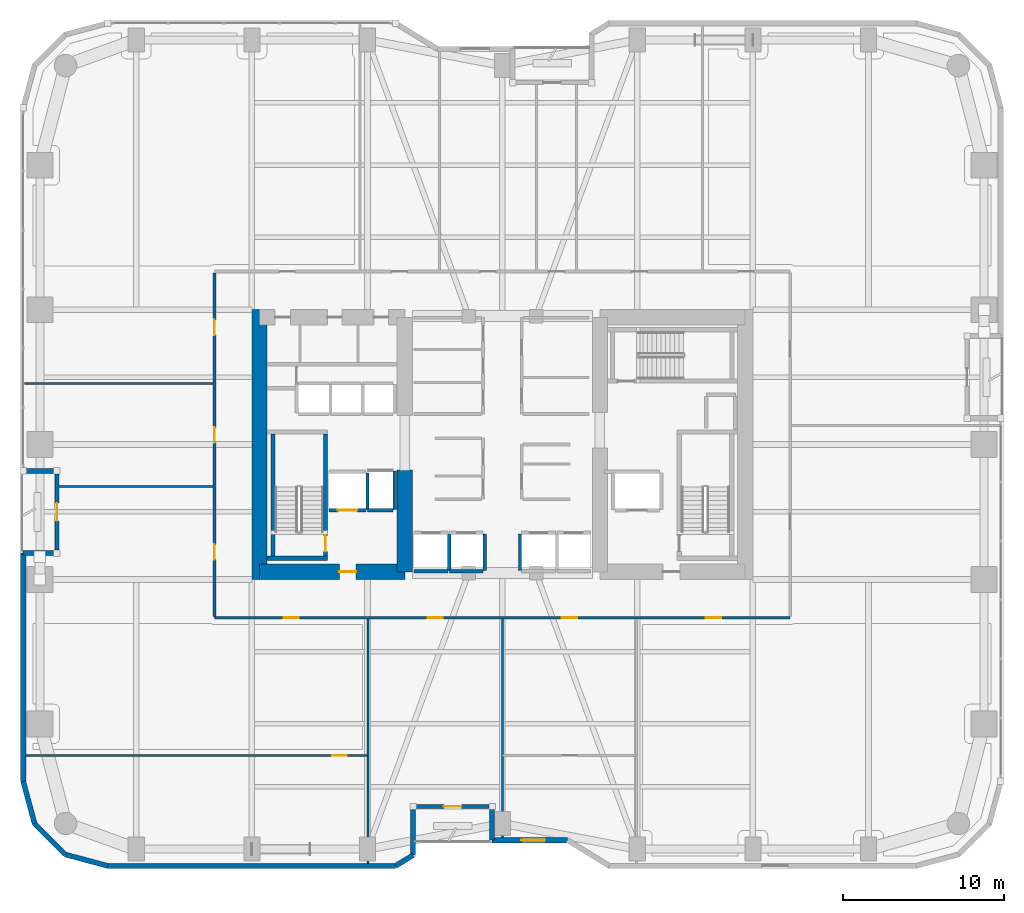
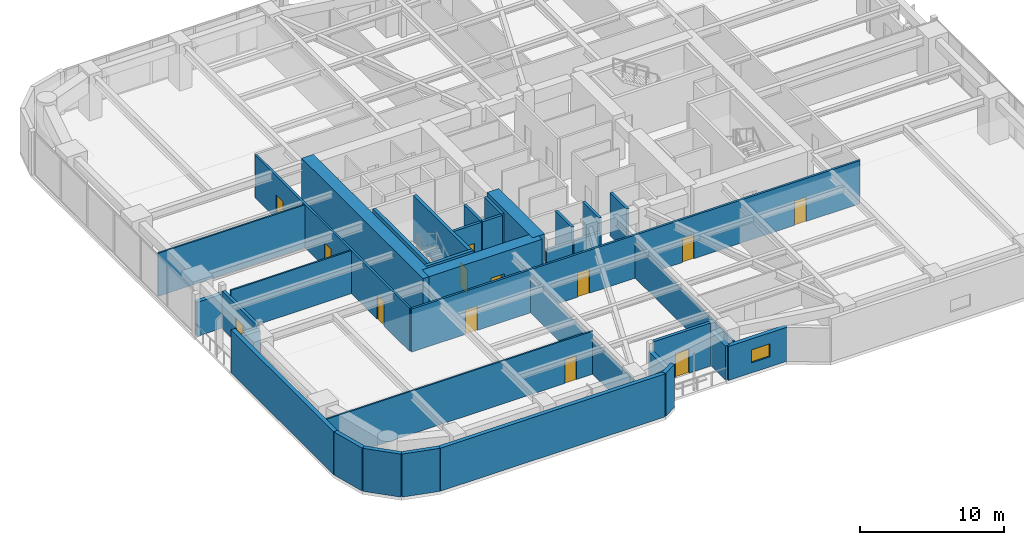
# One storey, part 22 of 28: 35 walls, 13 doors, 1 window, 14 openings.
"""IFC4 building model written with IfcOpenShell, lengths in metres."""

from ifc_helpers import new_model, si_unit, direction, frame, frame_2d, origin, place, context, subcontext, project, spatial, rectangle, extrude, material, layer, layer_set, type_object, element, fill, save


model = new_model("IFC4")

# Units and contexts
model_context = context("Model", 3, precision=1e-05, world=origin(), true_north=direction((0.0, 1.0)))
body_context = subcontext(model_context, "Body", "Model", "MODEL_VIEW")
ifc_project = project(units=[si_unit("LENGTHUNIT", "METRE"), si_unit("AREAUNIT", "SQUARE_METRE"), si_unit("VOLUMEUNIT", "CUBIC_METRE"), si_unit("PLANEANGLEUNIT", "RADIAN"), si_unit("MASSUNIT", "GRAM", prefix="KILO")], contexts=[model_context])

# Site, building, storey
site_placement = place(None, origin())
site = spatial("IfcSite", under=ifc_project, at=site_placement, CompositionType="ELEMENT")
building_placement = place(site_placement, origin())
building = spatial("IfcBuilding", under=site, at=building_placement, Name="Kiyonajd Concourse Tower", CompositionType="ELEMENT")
storey_placement = place(building_placement, frame((0.0, 0.0, 33.300048828125)))
storey = spatial("IfcBuildingStorey", under=building, at=storey_placement, Name="L09", CompositionType="ELEMENT", Elevation=33.300048828125)

# Walls
ifc_material_1 = material(Name="Concrete C80/95", Category="concrete")
ifc_layer_1 = layer(ifc_material_1, 0.949951171875)
ifc_layer_set_1 = layer_set([ifc_layer_1], Name="Concrete C80/95")
wall_type_1 = type_object("IfcWallType", Name="WL-CORE-950", PredefinedType="SHEAR", material=ifc_layer_set_1)
wall_1_placement = place(storey_placement, frame((32.875, 27.60009765625, 0.0), z_axis=(0.0, 0.0, 1.0), x_axis=(0.0, 1.0, 0.0)))
element("IfcWall", 1, at=wall_1_placement, inside=storey, type_object=wall_type_1, Name="L09 West Core Outer Shear Wall", PredefinedType="SHEAR", context=body_context, shape_type="SweptSolid", body=[
    extrude(rectangle(XDim=16.7998046875, YDim=0.949951171875, at=frame_2d((8.39990234375, 0.0))), origin(), (0.0, 0.0, 1.0), 3.89990234375),
])
wall_2_placement = place(storey_placement, frame((41.925048828125, 28.074951171875, 0.0), z_axis=(0.0, 0.0, 1.0), x_axis=(0.0, 1.0, 0.0)))
element("IfcWall", 2, at=wall_2_placement, inside=storey, type_object=wall_type_1, Name="L09 West Core Inner South Shear Wall", PredefinedType="SHEAR", context=body_context, shape_type="SweptSolid", body=[
    extrude(rectangle(XDim=6.324951171875, YDim=0.949951171875, at=frame_2d((3.16259765625, 0.0))), origin(), (0.0, 0.0, 1.0), 3.89990234375),
])

# Wall, opening, door
wall_3_placement = place(storey_placement, frame((32.875, 28.074951171875, 0.0), z_axis=(0.0, 0.0, 1.0), x_axis=(1.0, 0.0, 0.0)))
wall_3 = element("IfcWall", 3, at=wall_3_placement, inside=storey, type_object=wall_type_1, Name="L09 West Core South Shear Wall", PredefinedType="SHEAR", context=body_context, shape_type="SweptSolid", body=[
    extrude(rectangle(XDim=9.050048828125, YDim=0.949951171875, at=frame_2d((4.52490234375, 0.0))), origin(), (0.0, 0.0, 1.0), 3.89990234375),
])
opening_1_placement = place(wall_3_placement, frame((4.97509765625, 0.0, 0.0)))
opening_1 = element("IfcOpeningElement", 4, at=opening_1_placement, cuts=wall_3, Name="Opening DF5", PredefinedType="OPENING", context=body_context, shape_type="SweptSolid", body=[
    extrude(rectangle(XDim=1.050048828125, YDim=2.0400390625, at=frame_2d((0.52490234375, 1.02001953125))), frame((0.0, 0.48486328125, 0.0), z_axis=(0.0, -1.0, 0.0), x_axis=(1.0, 0.0, 0.0)), (0.0, 0.0, 1.0), 0.969970703125),
])
ifc_material_2 = material(Name="Brushed Stainless Steel Cab Assembly", Category="steel")
door_type_1 = type_object("IfcDoorType", Name="DR-FD45-1050", OperationType="NOTDEFINED", PredefinedType="DOOR", material=ifc_material_2)
door_1_placement = place(opening_1_placement, origin())
door_1 = element("IfcDoor", 5, at=door_1_placement, inside=storey, type_object=door_type_1, Name="L09 Firefighting Lift Lobby W Smoke Door", OperationType="SINGLE_SWING_LEFT", OverallHeight=2.0400390625, OverallWidth=1.050048828125, PredefinedType="DOOR", context=body_context, shape_type="SweptSolid", body=[
    extrude(rectangle(XDim=1.050048828125, YDim=2.0400390625, at=frame_2d((0.52490234375, 1.02001953125))), frame((0.0, 0.02490234375, 0.0), z_axis=(0.0, -1.0, 0.0), x_axis=(1.0, 0.0, 0.0)), (0.0, 0.0, 1.0), 0.050048828125),
])
fill(opening_1, door_1)

# Walls
ifc_material_3 = material(Name="Precast concrete C50/60", Category="concrete")
ifc_layer_2 = layer(ifc_material_3, 0.320068359375)
ifc_layer_set_2 = layer_set([ifc_layer_2], Name="Precast concrete C50/60")
wall_type_2 = type_object("IfcWallType", Name="WL-EXT-320", PredefinedType="SOLIDWALL", material=ifc_layer_set_2)
wall_4_placement = place(storey_placement, frame((18.866455078125, 12.3828125, 0.0), z_axis=(0.0, 0.0, 1.0), x_axis=(-0.25869736047, 0.965958423373, 0.0)))
element("IfcWall", 6, at=wall_4_placement, inside=storey, type_object=wall_type_2, Name="L09 Exterior Concrete Frame Wall 00", PredefinedType="SOLIDWALL", context=body_context, shape_type="SweptSolid", body=[
    extrude(rectangle(XDim=2.731201171875, YDim=0.320068359375, at=frame_2d((1.36572265625, 0.0))), origin(), (0.0, 0.0, 1.0), 3.639892578125),
])
wall_5_placement = place(storey_placement, frame((18.159912109375, 15.02099609375, 0.0), z_axis=(0.0, 0.0, 1.0), x_axis=(0.0, 1.0, 0.0)))
element("IfcWall", 7, at=wall_5_placement, inside=storey, type_object=wall_type_2, Name="L09 Exterior Concrete Frame Wall 01", PredefinedType="SOLIDWALL", context=body_context, shape_type="SweptSolid", body=[
    extrude(rectangle(XDim=14.218994140625, YDim=0.320068359375, at=frame_2d((7.109375, 0.0))), origin(), (0.0, 0.0, 1.0), 3.639892578125),
])
for number, where, z_axis, x_axis, name in (
    (8, (18.159912109375, 29.239990234375, 0.0), (0.0, 0.0, 1.0), (1.0, 0.0, 0.0), "L09 Exterior Concrete Frame Wall 02"),
    (9, (20.260009765625, 34.360107421875, 0.0), (0.0, 0.0, 1.0), (-1.0, 0.0, 0.0), "L09 Exterior Concrete Frame Wall 04"),
):
    element("IfcWall", number, at=place(storey_placement, frame(where, z_axis=z_axis, x_axis=x_axis)), inside=storey, type_object=wall_type_2, Name=name, PredefinedType="SOLIDWALL", context=body_context, shape_type="SweptSolid", body=[
        extrude(rectangle(XDim=2.10009765625, YDim=0.320068359375, at=frame_2d((1.050048828125, 0.0))), origin(), (0.0, 0.0, 1.0), 2.875),
    ])

# Wall, opening, window
wall_6_placement = place(storey_placement, frame((52.04541015625, 11.360107421875, 0.0), z_axis=(0.0, 0.0, 1.0), x_axis=(-1.0, 0.0, 0.0)))
wall_6 = element("IfcWall", 10, at=wall_6_placement, inside=storey, type_object=wall_type_2, Name="L09 Exterior Concrete Frame Wall 30", PredefinedType="SOLIDWALL", context=body_context, shape_type="SweptSolid", body=[
    extrude(rectangle(XDim=4.685302734375, YDim=0.320068359375, at=frame_2d((2.3427734375, 0.0))), origin(), (0.0, 0.0, 1.0), 2.875),
])
opening_2_placement = place(wall_6_placement, frame((1.367919921875, 0.0, 0.85009765625)))
opening_2 = element("IfcOpeningElement", 11, at=opening_2_placement, cuts=wall_6, Name="Opening WN2", PredefinedType="OPENING", context=body_context, shape_type="SweptSolid", body=[
    extrude(rectangle(XDim=1.5, YDim=1.10009765625, at=frame_2d((0.75, 0.550048828125))), frame((0.0, 0.169921875, 0.0), z_axis=(0.0, -1.0, 0.0), x_axis=(1.0, 0.0, 0.0)), (0.0, 0.0, 1.0), 0.340087890625),
])
ifc_material_4 = material(Name="Double Low-E Insulated Glass", Category="glass")
window_type = type_object("IfcWindowType", Name="WN-VIS-1500x1100", PartitioningType="SINGLE_PANEL", PredefinedType="WINDOW", material=ifc_material_4)
window_placement = place(opening_2_placement, origin())
window = element("IfcWindow", 12, at=window_placement, inside=storey, type_object=window_type, Name="L09 Modular Facade Vision Window 30", OverallHeight=1.10009765625, OverallWidth=1.5, PartitioningType="SINGLE_PANEL", PredefinedType="WINDOW", context=body_context, shape_type="SweptSolid", body=[
    extrude(rectangle(XDim=1.5, YDim=1.10009765625, at=frame_2d((0.75, 0.550048828125))), frame((0.0, 0.030029296875, 0.0), z_axis=(0.0, -1.0, 0.0), x_axis=(1.0, 0.0, 0.0)), (0.0, 0.0, 1.0), 0.06005859375),
])
fill(opening_2, window)

# Walls
wall_7_placement = place(storey_placement, frame((47.360107421875, 11.360107421875, 0.0), z_axis=(0.0, 0.0, 1.0), x_axis=(0.0, 1.0, 0.0)))
element("IfcWall", 13, at=wall_7_placement, inside=storey, type_object=wall_type_2, Name="L09 Exterior Concrete Frame Wall 31", PredefinedType="SOLIDWALL", context=body_context, shape_type="SweptSolid", body=[
    extrude(rectangle(XDim=2.099853515625, YDim=0.320068359375, at=frame_2d((1.0498046875, 0.0))), origin(), (0.0, 0.0, 1.0), 2.875),
])
wall_8_placement = place(storey_placement, frame((42.43994140625, 13.4599609375, 0.0), z_axis=(0.0, 0.0, 1.0), x_axis=(0.0, -1.0, 0.0)))
element("IfcWall", 14, at=wall_8_placement, inside=storey, type_object=wall_type_2, Name="L09 Exterior Concrete Frame Wall 33", PredefinedType="SOLIDWALL", context=body_context, shape_type="SweptSolid", body=[
    extrude(rectangle(XDim=3.032470703125, YDim=0.320068359375, at=frame_2d((1.51611328125, 0.0))), origin(), (0.0, 0.0, 1.0), 2.875),
])
wall_9_placement = place(storey_placement, frame((42.43994140625, 10.427490234375, 0.0), z_axis=(0.0, 0.0, 1.0), x_axis=(-0.851776724646, -0.523904964045, 0.0)))
element("IfcWall", 15, at=wall_9_placement, inside=storey, type_object=wall_type_2, Name="L09 Exterior Concrete Frame Wall 34", PredefinedType="SOLIDWALL", context=body_context, shape_type="SweptSolid", body=[
    extrude(rectangle(XDim=1.274169921875, YDim=0.320068359375, at=frame_2d((0.63720703125, 0.0))), origin(), (0.0, 0.0, 1.0), 3.639892578125),
])
wall_10_placement = place(storey_placement, frame((41.354736328125, 9.760009765625, 0.0), z_axis=(0.0, 0.0, 1.0), x_axis=(-1.0, 0.0, 0.0)))
element("IfcWall", 16, at=wall_10_placement, inside=storey, type_object=wall_type_2, Name="L09 Exterior Concrete Frame Wall 35", PredefinedType="SOLIDWALL", context=body_context, shape_type="SweptSolid", body=[
    extrude(rectangle(XDim=17.93359375, YDim=0.320068359375, at=frame_2d((8.966796875, 0.0))), origin(), (0.0, 0.0, 1.0), 3.639892578125),
])
wall_11_placement = place(storey_placement, frame((23.421142578125, 9.760009765625, 0.0), z_axis=(0.0, 0.0, 1.0), x_axis=(-0.965964405026, 0.25867502435, 0.0)))
element("IfcWall", 17, at=wall_11_placement, inside=storey, type_object=wall_type_2, Name="L09 Exterior Concrete Frame Wall 36", PredefinedType="SOLIDWALL", context=body_context, shape_type="SweptSolid", body=[
    extrude(rectangle(XDim=2.7314453125, YDim=0.320068359375, at=frame_2d((1.36572265625, 0.0))), origin(), (0.0, 0.0, 1.0), 3.639892578125),
])
wall_12_placement = place(storey_placement, frame((20.78271484375, 10.466552734375, 0.0), z_axis=(0.0, 0.0, 1.0), x_axis=(-0.707106781187, 0.707106781187, 0.0)))
element("IfcWall", 18, at=wall_12_placement, inside=storey, type_object=wall_type_2, Name="L09 Exterior Concrete Frame Wall 37", PredefinedType="SOLIDWALL", context=body_context, shape_type="SweptSolid", body=[
    extrude(rectangle(XDim=2.7099609375, YDim=0.320068359375, at=frame_2d((1.35498046875, 0.0))), origin(), (0.0, 0.0, 1.0), 3.639892578125),
])

# Wall, opening, door
ifc_layer_3 = layer(ifc_material_3, 0.239990234375)
ifc_layer_set_3 = layer_set([ifc_layer_3], Name="Precast concrete C50/60")
wall_type_3 = type_object("IfcWallType", Name="WL-LOG-240", PredefinedType="SOLIDWALL", material=ifc_layer_set_3)
wall_13_placement = place(storey_placement, frame((20.260009765625, 29.43505859375, 0.0), z_axis=(0.0, 0.0, 1.0), x_axis=(0.0, 1.0, 0.0)))
wall_13 = element("IfcWall", 19, at=wall_13_placement, inside=storey, type_object=wall_type_3, Name="L09 Recessed Loggia Thermal Wall LOG-W", PredefinedType="SOLIDWALL", context=body_context, shape_type="SweptSolid", body=[
    extrude(rectangle(XDim=4.72998046875, YDim=0.239990234375, at=frame_2d((2.364990234375, 0.0))), origin(), (0.0, 0.0, 1.0), 3.161865234375),
])
opening_3_placement = place(wall_13_placement, frame((1.81494140625, 0.0, 0.0)))
opening_3 = element("IfcOpeningElement", 20, at=opening_3_placement, cuts=wall_13, Name="Opening DL2", PredefinedType="OPENING", context=body_context, shape_type="SweptSolid", body=[
    extrude(rectangle(XDim=1.10009765625, YDim=2.0400390625, at=frame_2d((0.550048828125, 1.02001953125))), frame((0.0, 0.1298828125, 0.0), z_axis=(0.0, -1.0, 0.0), x_axis=(1.0, 0.0, 0.0)), (0.0, 0.0, 1.0), 0.260009765625),
])
ifc_material_5 = material(Name="Thermally Broken Anodised Aluminium", Category="aluminium")
door_type_2 = type_object("IfcDoorType", Name="DR-LOG-1100", OperationType="NOTDEFINED", PredefinedType="DOOR", material=ifc_material_5)
door_2_placement = place(opening_3_placement, origin())
door_2 = element("IfcDoor", 21, at=door_2_placement, inside=storey, type_object=door_type_2, Name="L09 Engawa Loggia Access Door LOG-W", OperationType="SINGLE_SWING_LEFT", OverallHeight=2.0400390625, OverallWidth=1.10009765625, PredefinedType="DOOR", context=body_context, shape_type="SweptSolid", body=[
    extrude(rectangle(XDim=1.10009765625, YDim=2.0400390625, at=frame_2d((0.550048828125, 1.02001953125))), frame((0.0, 0.02490234375, 0.0), z_axis=(0.0, -1.0, 0.0), x_axis=(1.0, 0.0, 0.0)), (0.0, 0.0, 1.0), 0.050048828125),
])
fill(opening_3, door_2)

wall_14_placement = place(storey_placement, frame((47.1650390625, 13.4599609375, 0.0), z_axis=(0.0, 0.0, 1.0), x_axis=(-1.0, 0.0, 0.0)))
wall_14 = element("IfcWall", 22, at=wall_14_placement, inside=storey, type_object=wall_type_3, Name="L09 Recessed Loggia Thermal Wall LOG-S", PredefinedType="SOLIDWALL", context=body_context, shape_type="SweptSolid", body=[
    extrude(rectangle(XDim=4.530029296875, YDim=0.239990234375, at=frame_2d((2.26513671875, 0.0))), origin(), (0.0, 0.0, 1.0), 3.639892578125),
])
opening_4_placement = place(wall_14_placement, frame((1.715087890625, 0.0, 0.0)))
opening_4 = element("IfcOpeningElement", 23, at=opening_4_placement, cuts=wall_14, Name="Opening DL2", PredefinedType="OPENING", context=body_context, shape_type="SweptSolid", body=[
    extrude(rectangle(XDim=1.10009765625, YDim=2.0400390625, at=frame_2d((0.550048828125, 1.02001953125))), frame((0.0, 0.1298828125, 0.0), z_axis=(0.0, -1.0, 0.0), x_axis=(1.0, 0.0, 0.0)), (0.0, 0.0, 1.0), 0.260009765625),
])
door_3_placement = place(opening_4_placement, origin())
door_3 = element("IfcDoor", 24, at=door_3_placement, inside=storey, type_object=door_type_2, Name="L09 Engawa Loggia Access Door LOG-S", OperationType="SINGLE_SWING_RIGHT", OverallHeight=2.0400390625, OverallWidth=1.10009765625, PredefinedType="DOOR", context=body_context, shape_type="SweptSolid", body=[
    extrude(rectangle(XDim=1.10009765625, YDim=2.0400390625, at=frame_2d((0.550048828125, 1.02001953125))), frame((0.0, 0.02490234375, 0.0), z_axis=(0.0, -1.0, 0.0), x_axis=(1.0, 0.0, 0.0)), (0.0, 0.0, 1.0), 0.050048828125),
])
fill(opening_4, door_3)

ifc_material_6 = material(Name="Gypsum Board on Cold-Formed Steel Stud", Category="steel")
ifc_layer_4 = layer(ifc_material_6, 0.125)
ifc_layer_set_4 = layer_set([ifc_layer_4], Name="Gypsum Board on Cold-Formed Steel Stud")
wall_type_4 = type_object("IfcWallType", Name="WL-PART-125", PredefinedType="PARTITIONING", material=ifc_layer_set_4)
wall_15_placement = place(storey_placement, frame((18.31494140625, 16.6298828125, 0.0), z_axis=(0.0, 0.0, 1.0), x_axis=(1.0, 0.0, 0.0)))
wall_15 = element("IfcWall", 25, at=wall_15_placement, inside=storey, type_object=wall_type_4, Name="L09 Interior Partition Wall", PredefinedType="PARTITIONING", context=body_context, shape_type="SweptSolid", body=[
    extrude(rectangle(XDim=21.324951171875, YDim=0.125, at=frame_2d((10.66259765625, 0.0))), origin(), (0.0, 0.0, 1.0), 3.639892578125),
])
opening_5_placement = place(wall_15_placement, frame((19.0849609375, 0.0, 0.0)))
opening_5 = element("IfcOpeningElement", 26, at=opening_5_placement, cuts=wall_15, Name="Opening DI2", PredefinedType="OPENING", context=body_context, shape_type="SweptSolid", body=[
    extrude(rectangle(XDim=0.89990234375, YDim=2.02001953125, at=frame_2d((0.449951171875, 1.010009765625))), frame((0.0, 0.072509765625, 0.0), z_axis=(0.0, -1.0, 0.0), x_axis=(1.0, 0.0, 0.0)), (0.0, 0.0, 1.0), 0.14501953125),
])
ifc_material_7 = material(Name="Natural Oak Acoustic Timber Veneer", Category="wood")
door_type_3 = type_object("IfcDoorType", Name="DR-INT-900", OperationType="NOTDEFINED", PredefinedType="DOOR", material=ifc_material_7)
door_4_placement = place(opening_5_placement, origin())
door_4 = element("IfcDoor", 27, at=door_4_placement, inside=storey, type_object=door_type_3, Name="L09 Interior Door", OperationType="SINGLE_SWING_LEFT", OverallHeight=2.02001953125, OverallWidth=0.89990234375, PredefinedType="DOOR", context=body_context, shape_type="SweptSolid", body=[
    extrude(rectangle(XDim=0.89990234375, YDim=2.02001953125, at=frame_2d((0.449951171875, 1.010009765625))), frame((0.0, 0.02490234375, 0.0), z_axis=(0.0, -1.0, 0.0), x_axis=(1.0, 0.0, 0.0)), (0.0, 0.0, 1.0), 0.050048828125),
])
fill(opening_5, door_4)

# Walls
wall_16_placement = place(storey_placement, frame((39.639892578125, 9.9150390625, 0.0), z_axis=(0.0, 0.0, 1.0), x_axis=(0.0, 1.0, 0.0)))
element("IfcWall", 28, at=wall_16_placement, inside=storey, type_object=wall_type_4, Name="L09 Interior Partition Wall", PredefinedType="PARTITIONING", context=body_context, shape_type="SweptSolid", body=[
    extrude(rectangle(XDim=15.218017578125, YDim=0.125, at=frame_2d((7.60888671875, 0.0))), origin(), (0.0, 0.0, 1.0), 2.929931640625),
])
wall_17_placement = place(storey_placement, frame((48.0, 11.514892578125, 0.0), z_axis=(0.0, 0.0, 1.0), x_axis=(0.0, 1.0, 0.0)))
element("IfcWall", 29, at=wall_17_placement, inside=storey, type_object=wall_type_4, Name="L09 Interior Partition Wall", PredefinedType="PARTITIONING", context=body_context, shape_type="SweptSolid", body=[
    extrude(rectangle(XDim=13.6181640625, YDim=0.125, at=frame_2d((6.80908203125, 0.0))), origin(), (0.0, 0.0, 1.0), 2.929931640625),
])
wall_18_placement = place(storey_placement, frame((20.375, 33.39990234375, 0.0), z_axis=(0.0, 0.0, 1.0), x_axis=(1.0, 0.0, 0.0)))
element("IfcWall", 30, at=wall_18_placement, inside=storey, type_object=wall_type_4, Name="L09 Interior Partition Wall", PredefinedType="PARTITIONING", context=body_context, shape_type="SweptSolid", body=[
    extrude(rectangle(XDim=9.613037109375, YDim=0.125, at=frame_2d((4.806640625, 0.0))), origin(), (0.0, 0.0, 1.0), 3.639892578125),
])
wall_19_placement = place(storey_placement, frame((18.2451171875, 39.800048828125, 0.0), z_axis=(0.0, 0.0, 1.0), x_axis=(1.0, 0.0, 0.0)))
element("IfcWall", 31, at=wall_19_placement, inside=storey, type_object=wall_type_4, Name="L09 Interior Partition Wall", PredefinedType="PARTITIONING", context=body_context, shape_type="SweptSolid", body=[
    extrude(rectangle(XDim=11.742919921875, YDim=0.125, at=frame_2d((5.87158203125, 0.0))), origin(), (0.0, 0.0, 1.0), 3.639892578125),
])

# Wall, opening, door
ifc_layer_5 = layer(ifc_material_6, 0.2099609375)
ifc_layer_set_5 = layer_set([ifc_layer_5], Name="Gypsum Board on Cold-Formed Steel Stud")
wall_type_5 = type_object("IfcWallType", Name="WL-SHAFT-210", PredefinedType="PARTITIONING", material=ifc_layer_set_5)
wall_20_placement = place(storey_placement, frame((37.199951171875, 31.89990234375, 0.0), z_axis=(0.0, 0.0, 1.0), x_axis=(1.0, 0.0, 0.0)))
wall_20 = element("IfcWall", 32, at=wall_20_placement, inside=storey, type_object=wall_type_5, Name="L09 Shaft Enclosure Wall", PredefinedType="PARTITIONING", context=body_context, shape_type="SweptSolid", body=[
    extrude(rectangle(XDim=2.300048828125, YDim=0.2099609375, at=frame_2d((1.14990234375, 0.0))), origin(), (0.0, 0.0, 1.0), 3.639892578125),
])
opening_6_placement = place(wall_20_placement, frame((0.550048828125, 0.0, 0.0)))
opening_6 = element("IfcOpeningElement", 33, at=opening_6_placement, cuts=wall_20, Name="Opening LD2", PredefinedType="OPENING", context=body_context, shape_type="SweptSolid", body=[
    extrude(rectangle(XDim=1.199951171875, YDim=2.0400390625, at=frame_2d((0.60009765625, 1.02001953125))), frame((0.0, 0.114990234375, 0.0), z_axis=(0.0, -1.0, 0.0), x_axis=(1.0, 0.0, 0.0)), (0.0, 0.0, 1.0), 0.22998046875),
])
door_type_4 = type_object("IfcDoorType", Name="DR-LD-1200", OperationType="DOUBLE_DOOR_SLIDING", PredefinedType="DOOR", material=ifc_material_2)
door_5_placement = place(opening_6_placement, origin())
door_5 = element("IfcDoor", 34, at=door_5_placement, inside=storey, type_object=door_type_4, Name="L09 Lift FFL1 Sliding Landing Door", OperationType="DOUBLE_DOOR_SLIDING", OverallHeight=2.0400390625, OverallWidth=1.199951171875, PredefinedType="DOOR", context=body_context, shape_type="SweptSolid", body=[
    extrude(rectangle(XDim=1.199951171875, YDim=2.0400390625, at=frame_2d((0.60009765625, 1.02001953125))), frame((0.0, 0.02490234375, 0.0), z_axis=(0.0, -1.0, 0.0), x_axis=(1.0, 0.0, 0.0)), (0.0, 0.0, 1.0), 0.050048828125),
])
fill(opening_6, door_5)

# Walls
wall_21_placement = place(storey_placement, frame((39.60009765625, 31.9599609375, 0.0), z_axis=(0.0, 0.0, 1.0), x_axis=(0.0, 1.0, 0.0)))
element("IfcWall", 35, at=wall_21_placement, inside=storey, type_object=wall_type_5, Name="L09 Shaft Enclosure Wall", PredefinedType="PARTITIONING", context=body_context, shape_type="SweptSolid", body=[
    extrude(rectangle(XDim=2.280029296875, YDim=0.2099609375, at=frame_2d((1.14013671875, 0.0))), origin(), (0.0, 0.0, 1.0), 3.639892578125),
])
wall_22_placement = place(storey_placement, frame((39.60009765625, 31.89990234375, 0.0), z_axis=(0.0, 0.0, 1.0), x_axis=(1.0, 0.0, 0.0)))
element("IfcWall", 36, at=wall_22_placement, inside=storey, type_object=wall_type_5, Name="L09 Shaft Enclosure Wall", PredefinedType="PARTITIONING", context=body_context, shape_type="SweptSolid", body=[
    extrude(rectangle(XDim=1.599853515625, YDim=0.2099609375, at=frame_2d((0.7998046875, 0.0))), origin(), (0.0, 0.0, 1.0), 3.639892578125),
])
wall_23_placement = place(storey_placement, frame((41.300048828125, 31.9599609375, 0.0), z_axis=(0.0, 0.0, 1.0), x_axis=(0.0, 1.0, 0.0)))
element("IfcWall", 37, at=wall_23_placement, inside=storey, type_object=wall_type_5, Name="L09 Shaft Enclosure Wall", PredefinedType="PARTITIONING", context=body_context, shape_type="SweptSolid", body=[
    extrude(rectangle(XDim=2.380126953125, YDim=0.2099609375, at=frame_2d((1.18994140625, 0.0))), origin(), (0.0, 0.0, 1.0), 3.639892578125),
])
wall_24_placement = place(storey_placement, frame((42.5, 28.10009765625, 0.0), z_axis=(0.0, 0.0, 1.0), x_axis=(1.0, 0.0, 0.0)))
element("IfcWall", 38, at=wall_24_placement, inside=storey, type_object=wall_type_5, Name="L09 Shaft Enclosure Wall", PredefinedType="PARTITIONING", context=body_context, shape_type="SweptSolid", body=[
    extrude(rectangle(XDim=2.10009765625, YDim=0.2099609375, at=frame_2d((1.050048828125, 0.0))), origin(), (0.0, 0.0, 1.0), 2.52490234375),
])
wall_25_placement = place(storey_placement, frame((44.699951171875, 28.159912109375, 0.0), z_axis=(0.0, 0.0, 1.0), x_axis=(0.0, 1.0, 0.0)))
element("IfcWall", 39, at=wall_25_placement, inside=storey, type_object=wall_type_5, Name="L09 Shaft Enclosure Wall", PredefinedType="PARTITIONING", context=body_context, shape_type="SweptSolid", body=[
    extrude(rectangle(XDim=2.280029296875, YDim=0.2099609375, at=frame_2d((1.14013671875, 0.0))), origin(), (0.0, 0.0, 1.0), 3.639892578125),
])
wall_26_placement = place(storey_placement, frame((44.699951171875, 28.10009765625, 0.0), z_axis=(0.0, 0.0, 1.0), x_axis=(1.0, 0.0, 0.0)))
element("IfcWall", 40, at=wall_26_placement, inside=storey, type_object=wall_type_5, Name="L09 Shaft Enclosure Wall", PredefinedType="PARTITIONING", context=body_context, shape_type="SweptSolid", body=[
    extrude(rectangle(XDim=2.10009765625, YDim=0.2099609375, at=frame_2d((1.050048828125, 0.0))), origin(), (0.0, 0.0, 1.0), 2.52490234375),
])
for number, where, z_axis, x_axis, name in (
    (41, (46.89990234375, 28.159912109375, 0.0), (0.0, 0.0, 1.0), (0.0, 1.0, 0.0), "L09 Shaft Enclosure Wall"),
    (42, (49.10009765625, 28.159912109375, 0.0), (0.0, 0.0, 1.0), (0.0, 1.0, 0.0), "L09 Shaft Enclosure Wall"),
):
    element("IfcWall", number, at=place(storey_placement, frame(where, z_axis=z_axis, x_axis=x_axis)), inside=storey, type_object=wall_type_5, Name=name, PredefinedType="PARTITIONING", context=body_context, shape_type="SweptSolid", body=[
        extrude(rectangle(XDim=2.280029296875, YDim=0.2099609375, at=frame_2d((1.14013671875, 0.0))), origin(), (0.0, 0.0, 1.0), 3.639892578125),
    ])

# Wall, openings, doors
ifc_layer_6 = layer(ifc_material_6, 0.169921875)
ifc_layer_set_6 = layer_set([ifc_layer_6], Name="Gypsum Board on Cold-Formed Steel Stud")
wall_type_6 = type_object("IfcWallType", Name="WL-SMK-170", PredefinedType="PARTITIONING", material=ifc_layer_set_6)
wall_27_placement = place(storey_placement, frame((30.074951171875, 25.219970703125, 0.0), z_axis=(0.0, 0.0, 1.0), x_axis=(1.0, 0.0, 0.0)))
wall_27 = element("IfcWall", 43, at=wall_27_placement, inside=storey, type_object=wall_type_6, Name="L09 Interior Partition Wall", PredefinedType="PARTITIONING", context=body_context, shape_type="SweptSolid", body=[
    extrude(rectangle(XDim=35.85009765625, YDim=0.169921875, at=frame_2d((17.925048828125, 0.0))), origin(), (0.0, 0.0, 1.0), 3.639892578125),
])
opening_7_placement = place(wall_27_placement, frame((4.30810546875, 0.0, 0.0)))
opening_7 = element("IfcOpeningElement", 44, at=opening_7_placement, cuts=wall_27, Name="Opening DI1", PredefinedType="OPENING", context=body_context, shape_type="SweptSolid", body=[
    extrude(rectangle(XDim=0.949951171875, YDim=2.0400390625, at=frame_2d((0.47509765625, 1.02001953125))), frame((0.0, 0.094970703125, 0.0), z_axis=(0.0, -1.0, 0.0), x_axis=(1.0, 0.0, 0.0)), (0.0, 0.0, 1.0), 0.18994140625),
])
opening_8_placement = place(wall_27_placement, frame((13.27001953125, 0.0, 0.0)))
opening_8 = element("IfcOpeningElement", 45, at=opening_8_placement, cuts=wall_27, Name="Opening DI1", PredefinedType="OPENING", context=body_context, shape_type="SweptSolid", body=[
    extrude(rectangle(XDim=0.949951171875, YDim=2.0400390625, at=frame_2d((0.47509765625, 1.02001953125))), frame((0.0, 0.094970703125, 0.0), z_axis=(0.0, -1.0, 0.0), x_axis=(1.0, 0.0, 0.0)), (0.0, 0.0, 1.0), 0.18994140625),
])
opening_9_placement = place(wall_27_placement, frame((21.6298828125, 0.0, 0.0)))
opening_9 = element("IfcOpeningElement", 46, at=opening_9_placement, cuts=wall_27, Name="Opening DI1", PredefinedType="OPENING", context=body_context, shape_type="SweptSolid", body=[
    extrude(rectangle(XDim=0.949951171875, YDim=2.0400390625, at=frame_2d((0.47509765625, 1.02001953125))), frame((0.0, 0.094970703125, 0.0), z_axis=(0.0, -1.0, 0.0), x_axis=(1.0, 0.0, 0.0)), (0.0, 0.0, 1.0), 0.18994140625),
])
opening_10_placement = place(wall_27_placement, frame((30.592041015625, 0.0, 0.0)))
opening_10 = element("IfcOpeningElement", 47, at=opening_10_placement, cuts=wall_27, Name="Opening DI1", PredefinedType="OPENING", context=body_context, shape_type="SweptSolid", body=[
    extrude(rectangle(XDim=0.949951171875, YDim=2.0400390625, at=frame_2d((0.47509765625, 1.02001953125))), frame((0.0, 0.094970703125, 0.0), z_axis=(0.0, -1.0, 0.0), x_axis=(1.0, 0.0, 0.0)), (0.0, 0.0, 1.0), 0.18994140625),
])
door_type_5 = type_object("IfcDoorType", Name="DR-INT-950", OperationType="NOTDEFINED", PredefinedType="DOOR", material=ifc_material_7)
door_6_placement = place(opening_7_placement, origin())
door_6 = element("IfcDoor", 48, at=door_6_placement, inside=storey, type_object=door_type_5, Name="L09 Interior Door", OperationType="SINGLE_SWING_RIGHT", OverallHeight=2.0400390625, OverallWidth=0.949951171875, PredefinedType="DOOR", context=body_context, shape_type="SweptSolid", body=[
    extrude(rectangle(XDim=0.949951171875, YDim=2.0400390625, at=frame_2d((0.47509765625, 1.02001953125))), frame((0.0, 0.02490234375, 0.0), z_axis=(0.0, -1.0, 0.0), x_axis=(1.0, 0.0, 0.0)), (0.0, 0.0, 1.0), 0.050048828125),
])
fill(opening_7, door_6)
door_7_placement = place(opening_8_placement, origin())
door_7 = element("IfcDoor", 49, at=door_7_placement, inside=storey, type_object=door_type_5, Name="L09 Interior Door", OperationType="SINGLE_SWING_LEFT", OverallHeight=2.0400390625, OverallWidth=0.949951171875, PredefinedType="DOOR", context=body_context, shape_type="SweptSolid", body=[
    extrude(rectangle(XDim=0.949951171875, YDim=2.0400390625, at=frame_2d((0.47509765625, 1.02001953125))), frame((0.0, 0.02490234375, 0.0), z_axis=(0.0, -1.0, 0.0), x_axis=(1.0, 0.0, 0.0)), (0.0, 0.0, 1.0), 0.050048828125),
])
fill(opening_8, door_7)
door_8_placement = place(opening_9_placement, origin())
door_8 = element("IfcDoor", 50, at=door_8_placement, inside=storey, type_object=door_type_5, Name="L09 Interior Door", OperationType="SINGLE_SWING_LEFT", OverallHeight=2.0400390625, OverallWidth=0.949951171875, PredefinedType="DOOR", context=body_context, shape_type="SweptSolid", body=[
    extrude(rectangle(XDim=0.949951171875, YDim=2.0400390625, at=frame_2d((0.47509765625, 1.02001953125))), frame((0.0, 0.02490234375, 0.0), z_axis=(0.0, -1.0, 0.0), x_axis=(1.0, 0.0, 0.0)), (0.0, 0.0, 1.0), 0.050048828125),
])
fill(opening_9, door_8)
door_9_placement = place(opening_10_placement, origin())
door_9 = element("IfcDoor", 51, at=door_9_placement, inside=storey, type_object=door_type_5, Name="L09 Interior Door", OperationType="SINGLE_SWING_RIGHT", OverallHeight=2.0400390625, OverallWidth=0.949951171875, PredefinedType="DOOR", context=body_context, shape_type="SweptSolid", body=[
    extrude(rectangle(XDim=0.949951171875, YDim=2.0400390625, at=frame_2d((0.47509765625, 1.02001953125))), frame((0.0, 0.02490234375, 0.0), z_axis=(0.0, -1.0, 0.0), x_axis=(1.0, 0.0, 0.0)), (0.0, 0.0, 1.0), 0.050048828125),
])
fill(opening_10, door_9)

wall_28_placement = place(storey_placement, frame((30.074951171875, 25.306884765625, 0.0), z_axis=(0.0, 0.0, 1.0), x_axis=(0.0, 1.0, 0.0)))
wall_28 = element("IfcWall", 52, at=wall_28_placement, inside=storey, type_object=wall_type_6, Name="L09 Interior Partition Wall", PredefinedType="PARTITIONING", context=body_context, shape_type="SweptSolid", body=[
    extrude(rectangle(XDim=21.38623046875, YDim=0.169921875, at=frame_2d((10.693115234375, 0.0))), origin(), (0.0, 0.0, 1.0), 3.639892578125),
])
opening_11_placement = place(wall_28_placement, frame((3.528076171875, 0.0, 0.0)))
opening_11 = element("IfcOpeningElement", 53, at=opening_11_placement, cuts=wall_28, Name="Opening DI1", PredefinedType="OPENING", context=body_context, shape_type="SweptSolid", body=[
    extrude(rectangle(XDim=0.949951171875, YDim=2.0400390625, at=frame_2d((0.47509765625, 1.02001953125))), frame((0.0, 0.094970703125, 0.0), z_axis=(0.0, -1.0, 0.0), x_axis=(1.0, 0.0, 0.0)), (0.0, 0.0, 1.0), 0.18994140625),
])
opening_12_placement = place(wall_28_placement, frame((10.818115234375, 0.0, 0.0)))
opening_12 = element("IfcOpeningElement", 54, at=opening_12_placement, cuts=wall_28, Name="Opening DI1", PredefinedType="OPENING", context=body_context, shape_type="SweptSolid", body=[
    extrude(rectangle(XDim=0.949951171875, YDim=2.0400390625, at=frame_2d((0.47509765625, 1.02001953125))), frame((0.0, 0.094970703125, 0.0), z_axis=(0.0, -1.0, 0.0), x_axis=(1.0, 0.0, 0.0)), (0.0, 0.0, 1.0), 0.18994140625),
])
opening_13_placement = place(wall_28_placement, frame((17.508056640625, 0.0, 0.0)))
opening_13 = element("IfcOpeningElement", 55, at=opening_13_placement, cuts=wall_28, Name="Opening DI1", PredefinedType="OPENING", context=body_context, shape_type="SweptSolid", body=[
    extrude(rectangle(XDim=0.949951171875, YDim=2.0400390625, at=frame_2d((0.47509765625, 1.02001953125))), frame((0.0, 0.094970703125, 0.0), z_axis=(0.0, -1.0, 0.0), x_axis=(1.0, 0.0, 0.0)), (0.0, 0.0, 1.0), 0.18994140625),
])
door_10_placement = place(opening_11_placement, origin())
door_10 = element("IfcDoor", 56, at=door_10_placement, inside=storey, type_object=door_type_5, Name="L09 Interior Door", OperationType="SINGLE_SWING_LEFT", OverallHeight=2.0400390625, OverallWidth=0.949951171875, PredefinedType="DOOR", context=body_context, shape_type="SweptSolid", body=[
    extrude(rectangle(XDim=0.949951171875, YDim=2.0400390625, at=frame_2d((0.47509765625, 1.02001953125))), frame((0.0, 0.02490234375, 0.0), z_axis=(0.0, -1.0, 0.0), x_axis=(1.0, 0.0, 0.0)), (0.0, 0.0, 1.0), 0.050048828125),
])
fill(opening_11, door_10)
door_11_placement = place(opening_12_placement, origin())
door_11 = element("IfcDoor", 57, at=door_11_placement, inside=storey, type_object=door_type_5, Name="L09 Interior Door", OperationType="SINGLE_SWING_RIGHT", OverallHeight=2.0400390625, OverallWidth=0.949951171875, PredefinedType="DOOR", context=body_context, shape_type="SweptSolid", body=[
    extrude(rectangle(XDim=0.949951171875, YDim=2.0400390625, at=frame_2d((0.47509765625, 1.02001953125))), frame((0.0, 0.02490234375, 0.0), z_axis=(0.0, -1.0, 0.0), x_axis=(1.0, 0.0, 0.0)), (0.0, 0.0, 1.0), 0.050048828125),
])
fill(opening_12, door_11)
door_12_placement = place(opening_13_placement, origin())
door_12 = element("IfcDoor", 58, at=door_12_placement, inside=storey, type_object=door_type_5, Name="L09 Interior Door", OperationType="SINGLE_SWING_LEFT", OverallHeight=2.0400390625, OverallWidth=0.949951171875, PredefinedType="DOOR", context=body_context, shape_type="SweptSolid", body=[
    extrude(rectangle(XDim=0.949951171875, YDim=2.0400390625, at=frame_2d((0.47509765625, 1.02001953125))), frame((0.0, 0.02490234375, 0.0), z_axis=(0.0, -1.0, 0.0), x_axis=(1.0, 0.0, 0.0)), (0.0, 0.0, 1.0), 0.050048828125),
])
fill(opening_13, door_12)

# Walls
ifc_material_8 = material(Name="Concrete C50/60", Category="concrete")
ifc_layer_7 = layer(ifc_material_8, 0.260009765625)
ifc_layer_set_7 = layer_set([ifc_layer_7], Name="Concrete C50/60")
wall_type_7 = type_object("IfcWallType", Name="WL-STAIR-260", PredefinedType="SHEAR", material=ifc_layer_set_7)
wall_29_placement = place(storey_placement, frame((33.35009765625, 28.919921875, 0.0), z_axis=(0.0, 0.0, 1.0), x_axis=(1.0, 0.0, 0.0)))
element("IfcWall", 59, at=wall_29_placement, inside=storey, type_object=wall_type_7, Name="L09 Stair ST1 Structural South Wall", PredefinedType="SHEAR", context=body_context, shape_type="SweptSolid", body=[
    extrude(rectangle(XDim=3.760009765625, YDim=0.260009765625, at=frame_2d((1.8798828125, 0.0))), origin(), (0.0, 0.0, 1.0), 3.89990234375),
])
wall_30_placement = place(storey_placement, frame((33.719970703125, 29.050048828125, 0.0), z_axis=(0.0, 0.0, 1.0), x_axis=(0.0, 1.0, 0.0)))
element("IfcWall", 60, at=wall_30_placement, inside=storey, type_object=wall_type_7, Name="L09 Stair ST1 Structural West Wall", PredefinedType="SHEAR", context=body_context, shape_type="SweptSolid", body=[
    extrude(rectangle(XDim=7.599853515625, YDim=0.260009765625, at=frame_2d((3.7998046875, 0.0))), origin(), (0.0, 0.0, 1.0), 3.89990234375),
])

# Wall, opening, door
wall_31_placement = place(storey_placement, frame((36.97998046875, 29.050048828125, 0.0), z_axis=(0.0, 0.0, 1.0), x_axis=(0.0, 1.0, 0.0)))
wall_31 = element("IfcWall", 61, at=wall_31_placement, inside=storey, type_object=wall_type_7, Name="L09 Stair ST1 Structural East Wall", PredefinedType="SHEAR", context=body_context, shape_type="SweptSolid", body=[
    extrude(rectangle(XDim=7.599853515625, YDim=0.260009765625, at=frame_2d((3.7998046875, 0.0))), origin(), (0.0, 0.0, 1.0), 3.89990234375),
])
opening_14_placement = place(wall_31_placement, frame((0.300048828125, 0.0, 0.0)))
opening_14 = element("IfcOpeningElement", 62, at=opening_14_placement, cuts=wall_31, Name="Opening DF1", PredefinedType="OPENING", context=body_context, shape_type="SweptSolid", body=[
    extrude(rectangle(XDim=1.0, YDim=2.0400390625, at=frame_2d((0.5, 1.02001953125))), frame((0.0, 0.139892578125, 0.0), z_axis=(0.0, -1.0, 0.0), x_axis=(1.0, 0.0, 0.0)), (0.0, 0.0, 1.0), 0.280029296875),
])
door_type_6 = type_object("IfcDoorType", Name="DR-FD90-1000", OperationType="NOTDEFINED", PredefinedType="DOOR", material=ifc_material_2)
door_13_placement = place(opening_14_placement, origin())
door_13 = element("IfcDoor", 63, at=door_13_placement, inside=storey, type_object=door_type_6, Name="L09 Stair ST1 FSAE Door", OperationType="SINGLE_SWING_LEFT", OverallHeight=2.0400390625, OverallWidth=1.0, PredefinedType="DOOR", context=body_context, shape_type="SweptSolid", body=[
    extrude(rectangle(XDim=1.0, YDim=2.0400390625, at=frame_2d((0.5, 1.02001953125))), frame((0.0, 0.02490234375, 0.0), z_axis=(0.0, -1.0, 0.0), x_axis=(1.0, 0.0, 0.0)), (0.0, 0.0, 1.0), 0.050048828125),
])
fill(opening_14, door_13)

save(model, "model.ifc")
